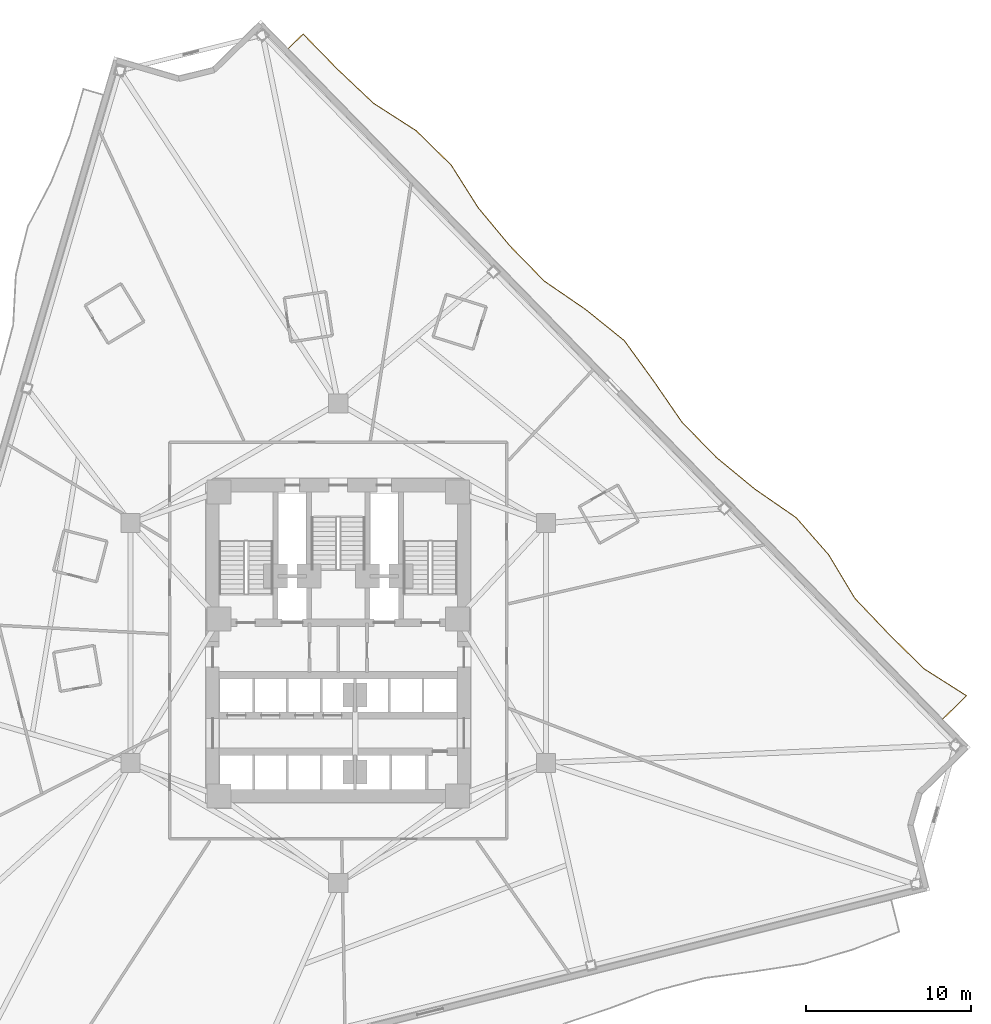
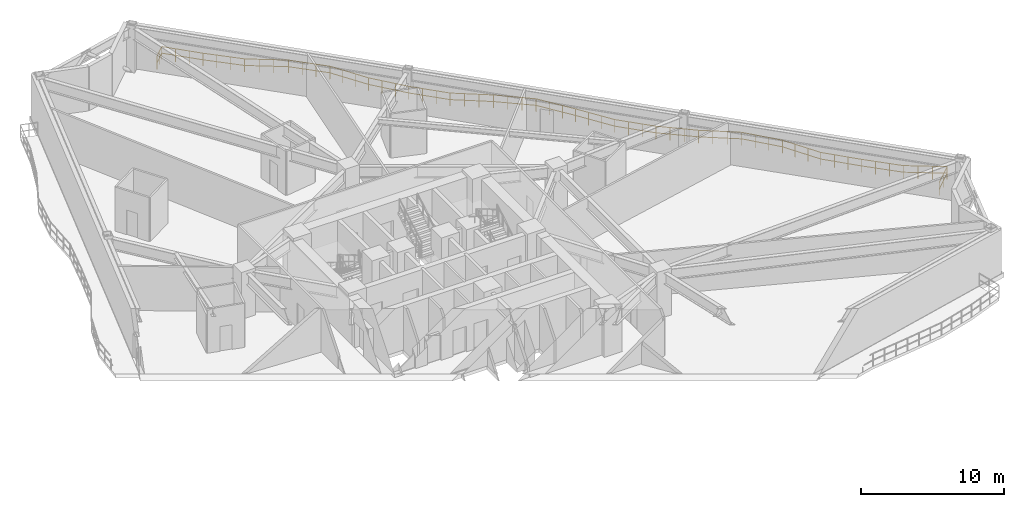
# One storey, part 13 of 13: 1 railing.
"""IFC4 building model written with IfcOpenShell, lengths in metres."""

from ifc_helpers import new_model, si_unit, direction, frame, origin, origin_2d, place, context, subcontext, project, spatial, rectangle, extrude, material, type_object, element, save


model = new_model("IFC4")

# Units and contexts
model_context = context("Model", 3, precision=1e-05, world=origin(), true_north=direction((0.0, 1.0)))
body_context = subcontext(model_context, "Body", "Model", "MODEL_VIEW")
ifc_project = project(units=[si_unit("LENGTHUNIT", "METRE"), si_unit("AREAUNIT", "SQUARE_METRE"), si_unit("VOLUMEUNIT", "CUBIC_METRE"), si_unit("PLANEANGLEUNIT", "RADIAN"), si_unit("MASSUNIT", "GRAM", prefix="KILO")], contexts=[model_context])

# Site, building, storey
site_placement = place(None, origin())
site = spatial("IfcSite", under=ifc_project, at=site_placement, CompositionType="ELEMENT")
building_placement = place(site_placement, origin())
building = spatial("IfcBuilding", under=site, at=building_placement, Name="Apsidion Concourse Tower", CompositionType="ELEMENT")
storey_placement = place(building_placement, frame((0.0, 0.0, 95.0)))
storey = spatial("IfcBuildingStorey", under=building, at=storey_placement, Name="L21", CompositionType="ELEMENT", Elevation=95.0)

# Railing
ifc_material = material(Name="Brushed stainless steel 316", Category="steel")
railing_type = type_object("IfcRailingType", Name="RL-BAL-1120", PredefinedType="BALUSTRADE", material=ifc_material)
railing_placement = place(storey_placement, frame((-3.018310546875, 35.96728515625, 0.0)))
element("IfcRailing", 1, at=railing_placement, inside=storey, type_object=railing_type, Name="L21 Face 3 Rippling Balcony Balustrade", PredefinedType="BALUSTRADE", context=body_context, shape_type="SweptSolid", body=[
    extrude(rectangle(XDim=0.048095703125, YDim=0.048095703125, at=origin_2d()), frame((0.0, 0.0, 1.09619140625), z_axis=(0.715648587439, 0.698460520929, 0.0), x_axis=(-0.698460520929, 0.715648587439, 0.0)), (0.0, 0.0, 1.0), 1.25),
    extrude(rectangle(XDim=0.048095703125, YDim=0.048095703125, at=origin_2d()), frame((0.0, 0.0, 0.5361328125), z_axis=(0.715648587439, 0.698460520929, 0.0), x_axis=(-0.698460520929, 0.715648587439, 0.0)), (0.0, 0.0, 1.0), 1.25),
    extrude(rectangle(XDim=0.048095703125, YDim=0.048095703125, at=origin_2d()), frame((0.89453125, 0.873046875, 1.09619140625), z_axis=(0.698501798427, -0.715608298998, 0.0), x_axis=(0.715608298998, 0.698501798427, 0.0)), (0.0, 0.0, 1.0), 2.98291015625),
    extrude(rectangle(XDim=0.048095703125, YDim=0.048095703125, at=origin_2d()), frame((0.89453125, 0.873046875, 0.5361328125), z_axis=(0.698501798427, -0.715608298998, 0.0), x_axis=(0.715608298998, 0.698501798427, 0.0)), (0.0, 0.0, 1.0), 2.98291015625),
    extrude(rectangle(XDim=0.048095703125, YDim=0.048095703125, at=origin_2d()), frame((2.97802734375, -1.261474609375, 1.09619140625), z_axis=(0.726938305947, -0.686702773657, 0.0), x_axis=(0.686702773657, 0.726938305947, 0.0)), (0.0, 0.0, 1.0), 2.9853515625),
    extrude(rectangle(XDim=0.048095703125, YDim=0.048095703125, at=origin_2d()), frame((2.97802734375, -1.261474609375, 0.5361328125), z_axis=(0.726938305947, -0.686702773657, 0.0), x_axis=(0.686702773657, 0.726938305947, 0.0)), (0.0, 0.0, 1.0), 2.9853515625),
    extrude(rectangle(XDim=0.048095703125, YDim=0.048095703125, at=origin_2d()), frame((5.148193359375, -3.3115234375, 1.09619140625), z_axis=(0.840924388999, -0.5411526328, 0.0), x_axis=(0.5411526328, 0.840924388999, 0.0)), (0.0, 0.0, 1.0), 3.060546875),
    extrude(rectangle(XDim=0.048095703125, YDim=0.048095703125, at=origin_2d()), frame((5.148193359375, -3.3115234375, 0.5361328125), z_axis=(0.840924388999, -0.5411526328, 0.0), x_axis=(0.5411526328, 0.840924388999, 0.0)), (0.0, 0.0, 1.0), 3.060546875),
    extrude(rectangle(XDim=0.048095703125, YDim=0.048095703125, at=origin_2d()), frame((7.721923828125, -4.9677734375, 1.09619140625), z_axis=(0.71423001818, -0.699911052299, 0.0), x_axis=(0.699911052299, 0.71423001818, 0.0)), (0.0, 0.0, 1.0), 2.98388671875),
    extrude(rectangle(XDim=0.048095703125, YDim=0.048095703125, at=origin_2d()), frame((7.721923828125, -4.9677734375, 0.5361328125), z_axis=(0.71423001818, -0.699911052299, 0.0), x_axis=(0.699911052299, 0.71423001818, 0.0)), (0.0, 0.0, 1.0), 2.98388671875),
    extrude(rectangle(XDim=0.048095703125, YDim=0.048095703125, at=origin_2d()), frame((9.85302734375, -7.05615234375, 1.09619140625), z_axis=(0.534625377113, -0.84508917053, 0.0), x_axis=(0.84508917053, 0.534625377113, 0.0)), (0.0, 0.0, 1.0), 3.049560546875),
    extrude(rectangle(XDim=0.048095703125, YDim=0.048095703125, at=origin_2d()), frame((9.85302734375, -7.05615234375, 0.5361328125), z_axis=(0.534625377113, -0.84508917053, 0.0), x_axis=(0.84508917053, 0.534625377113, 0.0)), (0.0, 0.0, 1.0), 3.049560546875),
    extrude(rectangle(XDim=0.048095703125, YDim=0.048095703125, at=origin_2d()), frame((11.4833984375, -9.63330078125, 1.09619140625), z_axis=(0.639084302855, -0.769136693861, 0.0), x_axis=(0.769136693861, 0.639084302855, 0.0)), (0.0, 0.0, 1.0), 2.992431640625),
    extrude(rectangle(XDim=0.048095703125, YDim=0.048095703125, at=origin_2d()), frame((11.4833984375, -9.63330078125, 0.5361328125), z_axis=(0.639084302855, -0.769136693861, 0.0), x_axis=(0.769136693861, 0.639084302855, 0.0)), (0.0, 0.0, 1.0), 2.992431640625),
    extrude(rectangle(XDim=0.048095703125, YDim=0.048095703125, at=origin_2d()), frame((13.395751953125, -11.934814453125, 1.09619140625), z_axis=(0.698460887015, -0.715648230145, 0.0), x_axis=(0.715648230145, 0.698460887015, 0.0)), (0.0, 0.0, 1.0), 2.98291015625),
    extrude(rectangle(XDim=0.048095703125, YDim=0.048095703125, at=origin_2d()), frame((13.395751953125, -11.934814453125, 0.5361328125), z_axis=(0.698460887015, -0.715648230145, 0.0), x_axis=(0.715648230145, 0.698460887015, 0.0)), (0.0, 0.0, 1.0), 2.98291015625),
    extrude(rectangle(XDim=0.048095703125, YDim=0.048095703125, at=origin_2d()), frame((15.479248046875, -14.069580078125, 1.09619140625), z_axis=(0.824540523848, -0.565802902549, 0.0), x_axis=(0.565802902549, 0.824540523848, 0.0)), (0.0, 0.0, 1.0), 3.041259765625),
    extrude(rectangle(XDim=0.048095703125, YDim=0.048095703125, at=origin_2d()), frame((15.479248046875, -14.069580078125, 0.5361328125), z_axis=(0.824540523848, -0.565802902549, 0.0), x_axis=(0.565802902549, 0.824540523848, 0.0)), (0.0, 0.0, 1.0), 3.041259765625),
    extrude(rectangle(XDim=0.048095703125, YDim=0.048095703125, at=origin_2d()), frame((17.98681640625, -15.790283203125, 1.09619140625), z_axis=(0.778381013087, -0.627792161839, 0.0), x_axis=(0.627792161839, 0.778381013087, 0.0)), (0.0, 0.0, 1.0), 3.004150390625),
    extrude(rectangle(XDim=0.048095703125, YDim=0.048095703125, at=origin_2d()), frame((17.98681640625, -15.790283203125, 0.5361328125), z_axis=(0.778381013087, -0.627792161839, 0.0), x_axis=(0.627792161839, 0.778381013087, 0.0)), (0.0, 0.0, 1.0), 3.004150390625),
    extrude(rectangle(XDim=0.048095703125, YDim=0.048095703125, at=origin_2d()), frame((20.3251953125, -17.67626953125, 1.09619140625), z_axis=(0.587540717134, -0.809194603115, 0.0), x_axis=(0.809194603115, 0.587540717134, 0.0)), (0.0, 0.0, 1.0), 3.0146484375),
    extrude(rectangle(XDim=0.048095703125, YDim=0.048095703125, at=origin_2d()), frame((20.3251953125, -17.67626953125, 0.5361328125), z_axis=(0.587540717134, -0.809194603115, 0.0), x_axis=(0.809194603115, 0.587540717134, 0.0)), (0.0, 0.0, 1.0), 3.0146484375),
    extrude(rectangle(XDim=0.048095703125, YDim=0.048095703125, at=origin_2d()), frame((22.096435546875, -20.11572265625, 1.09619140625), z_axis=(0.567312530061, -0.823502576339, 0.0), x_axis=(0.823502576339, 0.567312530061, 0.0)), (0.0, 0.0, 1.0), 3.026611328125),
    extrude(rectangle(XDim=0.048095703125, YDim=0.048095703125, at=origin_2d()), frame((22.096435546875, -20.11572265625, 0.5361328125), z_axis=(0.567312530061, -0.823502576339, 0.0), x_axis=(0.823502576339, 0.567312530061, 0.0)), (0.0, 0.0, 1.0), 3.026611328125),
    extrude(rectangle(XDim=0.048095703125, YDim=0.048095703125, at=origin_2d()), frame((23.8134765625, -22.608154296875, 1.09619140625), z_axis=(0.698543709462, -0.715567387443, 0.0), x_axis=(0.715567387443, 0.698543709462, 0.0)), (0.0, 0.0, 1.0), 2.98291015625),
    extrude(rectangle(XDim=0.048095703125, YDim=0.048095703125, at=origin_2d()), frame((23.8134765625, -22.608154296875, 0.5361328125), z_axis=(0.698543709462, -0.715567387443, 0.0), x_axis=(0.715567387443, 0.698543709462, 0.0)), (0.0, 0.0, 1.0), 2.98291015625),
    extrude(rectangle(XDim=0.048095703125, YDim=0.048095703125, at=origin_2d()), frame((25.897216796875, -24.74267578125, 1.09619140625), z_axis=(0.77214157082, -0.635450544584, 0.0), x_axis=(0.635450544584, 0.77214157082, 0.0)), (0.0, 0.0, 1.0), 3.00048828125),
    extrude(rectangle(XDim=0.048095703125, YDim=0.048095703125, at=origin_2d()), frame((25.897216796875, -24.74267578125, 0.5361328125), z_axis=(0.77214157082, -0.635450544584, 0.0), x_axis=(0.635450544584, 0.77214157082, 0.0)), (0.0, 0.0, 1.0), 3.00048828125),
    extrude(rectangle(XDim=0.048095703125, YDim=0.048095703125, at=origin_2d()), frame((28.214111328125, -26.6494140625, 1.09619140625), z_axis=(0.822640167575, -0.568562357787, 0.0), x_axis=(0.568562357787, 0.822640167575, 0.0)), (0.0, 0.0, 1.0), 3.039306640625),
    extrude(rectangle(XDim=0.048095703125, YDim=0.048095703125, at=origin_2d()), frame((28.214111328125, -26.6494140625, 0.5361328125), z_axis=(0.822640167575, -0.568562357787, 0.0), x_axis=(0.568562357787, 0.822640167575, 0.0)), (0.0, 0.0, 1.0), 3.039306640625),
    extrude(rectangle(XDim=0.048095703125, YDim=0.048095703125, at=origin_2d()), frame((30.71435546875, -28.37744140625, 1.09619140625), z_axis=(0.658811214854, -0.752308303279, 0.0), x_axis=(0.752308303279, 0.658811214854, 0.0)), (0.0, 0.0, 1.0), 2.9873046875),
    extrude(rectangle(XDim=0.048095703125, YDim=0.048095703125, at=origin_2d()), frame((30.71435546875, -28.37744140625, 0.5361328125), z_axis=(0.658811214854, -0.752308303279, 0.0), x_axis=(0.752308303279, 0.658811214854, 0.0)), (0.0, 0.0, 1.0), 2.9873046875),
    extrude(rectangle(XDim=0.048095703125, YDim=0.048095703125, at=origin_2d()), frame((32.682373046875, -30.624755859375, 1.09619140625), z_axis=(0.514413780384, -0.85754210541, 0.0), x_axis=(0.85754210541, 0.514413780384, 0.0)), (0.0, 0.0, 1.0), 3.06591796875),
    extrude(rectangle(XDim=0.048095703125, YDim=0.048095703125, at=origin_2d()), frame((32.682373046875, -30.624755859375, 0.5361328125), z_axis=(0.514413780384, -0.85754210541, 0.0), x_axis=(0.85754210541, 0.514413780384, 0.0)), (0.0, 0.0, 1.0), 3.06591796875),
    extrude(rectangle(XDim=0.048095703125, YDim=0.048095703125, at=origin_2d()), frame((34.259521484375, -33.25390625, 1.09619140625), z_axis=(0.688996794346, -0.724764387495, 0.0), x_axis=(0.724764387495, 0.688996794346, 0.0)), (0.0, 0.0, 1.0), 2.98291015625),
    extrude(rectangle(XDim=0.048095703125, YDim=0.048095703125, at=origin_2d()), frame((34.259521484375, -33.25390625, 0.5361328125), z_axis=(0.688996794346, -0.724764387495, 0.0), x_axis=(0.724764387495, 0.688996794346, 0.0)), (0.0, 0.0, 1.0), 2.98291015625),
    extrude(rectangle(XDim=0.048095703125, YDim=0.048095703125, at=origin_2d()), frame((36.314697265625, -35.415771484375, 1.09619140625), z_axis=(0.711633494987, -0.702550901225, 0.0), x_axis=(0.702550901225, 0.711633494987, 0.0)), (0.0, 0.0, 1.0), 2.983642578125),
    extrude(rectangle(XDim=0.048095703125, YDim=0.048095703125, at=origin_2d()), frame((36.314697265625, -35.415771484375, 0.5361328125), z_axis=(0.711633494987, -0.702550901225, 0.0), x_axis=(0.702550901225, 0.711633494987, 0.0)), (0.0, 0.0, 1.0), 2.983642578125),
    extrude(rectangle(XDim=0.048095703125, YDim=0.048095703125, at=origin_2d()), frame((38.43798828125, -37.511962890625, 1.09619140625), z_axis=(0.844244855422, -0.535957670058, 0.0), x_axis=(0.535957670058, 0.844244855422, 0.0)), (0.0, 0.0, 1.0), 3.064697265625),
    extrude(rectangle(XDim=0.048095703125, YDim=0.048095703125, at=origin_2d()), frame((38.43798828125, -37.511962890625, 0.5361328125), z_axis=(0.844244855422, -0.535957670058, 0.0), x_axis=(0.535957670058, 0.844244855422, 0.0)), (0.0, 0.0, 1.0), 3.064697265625),
    extrude(rectangle(XDim=0.048095703125, YDim=0.048095703125, at=origin_2d()), frame((41.025390625, -39.154541015625, 1.09619140625), z_axis=(-0.715559747161, -0.698551535853, 0.0), x_axis=(0.698551535853, -0.715559747161, 0.0)), (0.0, 0.0, 1.0), 2.009521484375),
    extrude(rectangle(XDim=0.048095703125, YDim=0.048095703125, at=origin_2d()), frame((41.025390625, -39.154541015625, 0.5361328125), z_axis=(-0.715559747161, -0.698551535853, 0.0), x_axis=(0.698551535853, -0.715559747161, 0.0)), (0.0, 0.0, 1.0), 2.009521484375),
    extrude(rectangle(XDim=0.0419921875, YDim=0.0419921875, at=origin_2d()), origin(), (0.0, 0.0, 1.0), 1.072021484375),
    extrude(rectangle(XDim=0.0419921875, YDim=0.0419921875, at=origin_2d()), frame((0.447265625, 0.4365234375, 0.0)), (0.0, 0.0, 1.0), 1.072021484375),
    extrude(rectangle(XDim=0.0419921875, YDim=0.0419921875, at=origin_2d()), frame((0.89453125, 0.873046875, 0.0)), (0.0, 0.0, 1.0), 1.072021484375),
    extrude(rectangle(XDim=0.0419921875, YDim=0.0419921875, at=origin_2d()), frame((1.589111328125, 0.16162109375, 0.0)), (0.0, 0.0, 1.0), 1.072021484375),
    extrude(rectangle(XDim=0.0419921875, YDim=0.0419921875, at=origin_2d()), frame((2.283447265625, -0.550048828125, 0.0)), (0.0, 0.0, 1.0), 1.072021484375),
    extrude(rectangle(XDim=0.0419921875, YDim=0.0419921875, at=origin_2d()), frame((2.97802734375, -1.261474609375, 0.0)), (0.0, 0.0, 1.0), 1.072021484375),
    extrude(rectangle(XDim=0.0419921875, YDim=0.0419921875, at=origin_2d()), frame((3.701416015625, -1.94482421875, 0.0)), (0.0, 0.0, 1.0), 1.072021484375),
    extrude(rectangle(XDim=0.0419921875, YDim=0.0419921875, at=origin_2d()), frame((4.4248046875, -2.628173828125, 0.0)), (0.0, 0.0, 1.0), 1.072021484375),
    extrude(rectangle(XDim=0.0419921875, YDim=0.0419921875, at=origin_2d()), frame((5.148193359375, -3.3115234375, 0.0)), (0.0, 0.0, 1.0), 1.072021484375),
    extrude(rectangle(XDim=0.0419921875, YDim=0.0419921875, at=origin_2d()), frame((6.006103515625, -3.863525390625, 0.0)), (0.0, 0.0, 1.0), 1.072021484375),
    extrude(rectangle(XDim=0.0419921875, YDim=0.0419921875, at=origin_2d()), frame((6.864013671875, -4.415771484375, 0.0)), (0.0, 0.0, 1.0), 1.072021484375),
    extrude(rectangle(XDim=0.0419921875, YDim=0.0419921875, at=origin_2d()), frame((7.721923828125, -4.9677734375, 0.0)), (0.0, 0.0, 1.0), 1.072021484375),
    extrude(rectangle(XDim=0.0419921875, YDim=0.0419921875, at=origin_2d()), frame((8.432373046875, -5.663818359375, 0.0)), (0.0, 0.0, 1.0), 1.072021484375),
    extrude(rectangle(XDim=0.0419921875, YDim=0.0419921875, at=origin_2d()), frame((9.142578125, -6.360107421875, 0.0)), (0.0, 0.0, 1.0), 1.072021484375),
    extrude(rectangle(XDim=0.0419921875, YDim=0.0419921875, at=origin_2d()), frame((9.85302734375, -7.05615234375, 0.0)), (0.0, 0.0, 1.0), 1.072021484375),
    extrude(rectangle(XDim=0.0419921875, YDim=0.0419921875, at=origin_2d()), frame((10.396484375, -7.915283203125, 0.0)), (0.0, 0.0, 1.0), 1.072021484375),
    extrude(rectangle(XDim=0.0419921875, YDim=0.0419921875, at=origin_2d()), frame((10.93994140625, -8.774169921875, 0.0)), (0.0, 0.0, 1.0), 1.072021484375),
    extrude(rectangle(XDim=0.0419921875, YDim=0.0419921875, at=origin_2d()), frame((11.4833984375, -9.63330078125, 0.0)), (0.0, 0.0, 1.0), 1.072021484375),
    extrude(rectangle(XDim=0.0419921875, YDim=0.0419921875, at=origin_2d()), frame((12.120849609375, -10.400390625, 0.0)), (0.0, 0.0, 1.0), 1.072021484375),
    extrude(rectangle(XDim=0.0419921875, YDim=0.0419921875, at=origin_2d()), frame((12.75830078125, -11.167724609375, 0.0)), (0.0, 0.0, 1.0), 1.072021484375),
    extrude(rectangle(XDim=0.0419921875, YDim=0.0419921875, at=origin_2d()), frame((13.395751953125, -11.934814453125, 0.0)), (0.0, 0.0, 1.0), 1.072021484375),
    extrude(rectangle(XDim=0.0419921875, YDim=0.0419921875, at=origin_2d()), frame((14.09033203125, -12.646484375, 0.0)), (0.0, 0.0, 1.0), 1.072021484375),
    extrude(rectangle(XDim=0.0419921875, YDim=0.0419921875, at=origin_2d()), frame((14.78466796875, -13.35791015625, 0.0)), (0.0, 0.0, 1.0), 1.072021484375),
    extrude(rectangle(XDim=0.0419921875, YDim=0.0419921875, at=origin_2d()), frame((15.479248046875, -14.069580078125, 0.0)), (0.0, 0.0, 1.0), 1.072021484375),
    extrude(rectangle(XDim=0.0419921875, YDim=0.0419921875, at=origin_2d()), frame((16.315185546875, -14.64306640625, 0.0)), (0.0, 0.0, 1.0), 1.072021484375),
    extrude(rectangle(XDim=0.0419921875, YDim=0.0419921875, at=origin_2d()), frame((17.15087890625, -15.216796875, 0.0)), (0.0, 0.0, 1.0), 1.072021484375),
    extrude(rectangle(XDim=0.0419921875, YDim=0.0419921875, at=origin_2d()), frame((17.98681640625, -15.790283203125, 0.0)), (0.0, 0.0, 1.0), 1.072021484375),
    extrude(rectangle(XDim=0.0419921875, YDim=0.0419921875, at=origin_2d()), frame((18.766357421875, -16.4189453125, 0.0)), (0.0, 0.0, 1.0), 1.072021484375),
    extrude(rectangle(XDim=0.0419921875, YDim=0.0419921875, at=origin_2d()), frame((19.545654296875, -17.047607421875, 0.0)), (0.0, 0.0, 1.0), 1.072021484375),
    extrude(rectangle(XDim=0.0419921875, YDim=0.0419921875, at=origin_2d()), frame((20.3251953125, -17.67626953125, 0.0)), (0.0, 0.0, 1.0), 1.072021484375),
    extrude(rectangle(XDim=0.0419921875, YDim=0.0419921875, at=origin_2d()), frame((20.91552734375, -18.489501953125, 0.0)), (0.0, 0.0, 1.0), 1.072021484375),
    extrude(rectangle(XDim=0.0419921875, YDim=0.0419921875, at=origin_2d()), frame((21.506103515625, -19.302490234375, 0.0)), (0.0, 0.0, 1.0), 1.072021484375),
    extrude(rectangle(XDim=0.0419921875, YDim=0.0419921875, at=origin_2d()), frame((22.096435546875, -20.11572265625, 0.0)), (0.0, 0.0, 1.0), 1.072021484375),
    extrude(rectangle(XDim=0.0419921875, YDim=0.0419921875, at=origin_2d()), frame((22.668701171875, -20.946533203125, 0.0)), (0.0, 0.0, 1.0), 1.072021484375),
    extrude(rectangle(XDim=0.0419921875, YDim=0.0419921875, at=origin_2d()), frame((23.2412109375, -21.77734375, 0.0)), (0.0, 0.0, 1.0), 1.072021484375),
    extrude(rectangle(XDim=0.0419921875, YDim=0.0419921875, at=origin_2d()), frame((23.8134765625, -22.608154296875, 0.0)), (0.0, 0.0, 1.0), 1.072021484375),
    extrude(rectangle(XDim=0.0419921875, YDim=0.0419921875, at=origin_2d()), frame((24.508056640625, -23.319580078125, 0.0)), (0.0, 0.0, 1.0), 1.072021484375),
    extrude(rectangle(XDim=0.0419921875, YDim=0.0419921875, at=origin_2d()), frame((25.20263671875, -24.03125, 0.0)), (0.0, 0.0, 1.0), 1.072021484375),
    extrude(rectangle(XDim=0.0419921875, YDim=0.0419921875, at=origin_2d()), frame((25.897216796875, -24.74267578125, 0.0)), (0.0, 0.0, 1.0), 1.072021484375),
    extrude(rectangle(XDim=0.0419921875, YDim=0.0419921875, at=origin_2d()), frame((26.66943359375, -25.378173828125, 0.0)), (0.0, 0.0, 1.0), 1.072021484375),
    extrude(rectangle(XDim=0.0419921875, YDim=0.0419921875, at=origin_2d()), frame((27.44189453125, -26.013916015625, 0.0)), (0.0, 0.0, 1.0), 1.072021484375),
    extrude(rectangle(XDim=0.0419921875, YDim=0.0419921875, at=origin_2d()), frame((28.214111328125, -26.6494140625, 0.0)), (0.0, 0.0, 1.0), 1.072021484375),
    extrude(rectangle(XDim=0.0419921875, YDim=0.0419921875, at=origin_2d()), frame((29.047607421875, -27.225341796875, 0.0)), (0.0, 0.0, 1.0), 1.072021484375),
    extrude(rectangle(XDim=0.0419921875, YDim=0.0419921875, at=origin_2d()), frame((29.880859375, -27.801513671875, 0.0)), (0.0, 0.0, 1.0), 1.072021484375),
    extrude(rectangle(XDim=0.0419921875, YDim=0.0419921875, at=origin_2d()), frame((30.71435546875, -28.37744140625, 0.0)), (0.0, 0.0, 1.0), 1.072021484375),
    extrude(rectangle(XDim=0.0419921875, YDim=0.0419921875, at=origin_2d()), frame((31.370361328125, -29.12646484375, 0.0)), (0.0, 0.0, 1.0), 1.072021484375),
    extrude(rectangle(XDim=0.0419921875, YDim=0.0419921875, at=origin_2d()), frame((32.0263671875, -29.875732421875, 0.0)), (0.0, 0.0, 1.0), 1.072021484375),
    extrude(rectangle(XDim=0.0419921875, YDim=0.0419921875, at=origin_2d()), frame((32.682373046875, -30.624755859375, 0.0)), (0.0, 0.0, 1.0), 1.072021484375),
    extrude(rectangle(XDim=0.0419921875, YDim=0.0419921875, at=origin_2d()), frame((33.2080078125, -31.501220703125, 0.0)), (0.0, 0.0, 1.0), 1.072021484375),
    extrude(rectangle(XDim=0.0419921875, YDim=0.0419921875, at=origin_2d()), frame((33.73388671875, -32.37744140625, 0.0)), (0.0, 0.0, 1.0), 1.072021484375),
    extrude(rectangle(XDim=0.0419921875, YDim=0.0419921875, at=origin_2d()), frame((34.259521484375, -33.25390625, 0.0)), (0.0, 0.0, 1.0), 1.072021484375),
    extrude(rectangle(XDim=0.0419921875, YDim=0.0419921875, at=origin_2d()), frame((34.944580078125, -33.974609375, 0.0)), (0.0, 0.0, 1.0), 1.072021484375),
    extrude(rectangle(XDim=0.0419921875, YDim=0.0419921875, at=origin_2d()), frame((35.629638671875, -34.695068359375, 0.0)), (0.0, 0.0, 1.0), 1.072021484375),
    extrude(rectangle(XDim=0.0419921875, YDim=0.0419921875, at=origin_2d()), frame((36.314697265625, -35.415771484375, 0.0)), (0.0, 0.0, 1.0), 1.072021484375),
    extrude(rectangle(XDim=0.0419921875, YDim=0.0419921875, at=origin_2d()), frame((37.0224609375, -36.114501953125, 0.0)), (0.0, 0.0, 1.0), 1.072021484375),
    extrude(rectangle(XDim=0.0419921875, YDim=0.0419921875, at=origin_2d()), frame((37.730224609375, -36.813232421875, 0.0)), (0.0, 0.0, 1.0), 1.072021484375),
    extrude(rectangle(XDim=0.0419921875, YDim=0.0419921875, at=origin_2d()), frame((38.43798828125, -37.511962890625, 0.0)), (0.0, 0.0, 1.0), 1.072021484375),
    extrude(rectangle(XDim=0.0419921875, YDim=0.0419921875, at=origin_2d()), frame((39.300537109375, -38.0595703125, 0.0)), (0.0, 0.0, 1.0), 1.072021484375),
    extrude(rectangle(XDim=0.0419921875, YDim=0.0419921875, at=origin_2d()), frame((40.162841796875, -38.60693359375, 0.0)), (0.0, 0.0, 1.0), 1.072021484375),
    extrude(rectangle(XDim=0.0419921875, YDim=0.0419921875, at=origin_2d()), frame((41.025390625, -39.154541015625, 0.0)), (0.0, 0.0, 1.0), 1.072021484375),
    extrude(rectangle(XDim=0.0419921875, YDim=0.0419921875, at=origin_2d()), frame((40.306396484375, -39.8564453125, 0.0)), (0.0, 0.0, 1.0), 1.072021484375),
    extrude(rectangle(XDim=0.0419921875, YDim=0.0419921875, at=origin_2d()), frame((39.58740234375, -40.558349609375, 0.0)), (0.0, 0.0, 1.0), 1.072021484375),
])

save(model, "model.ifc")
